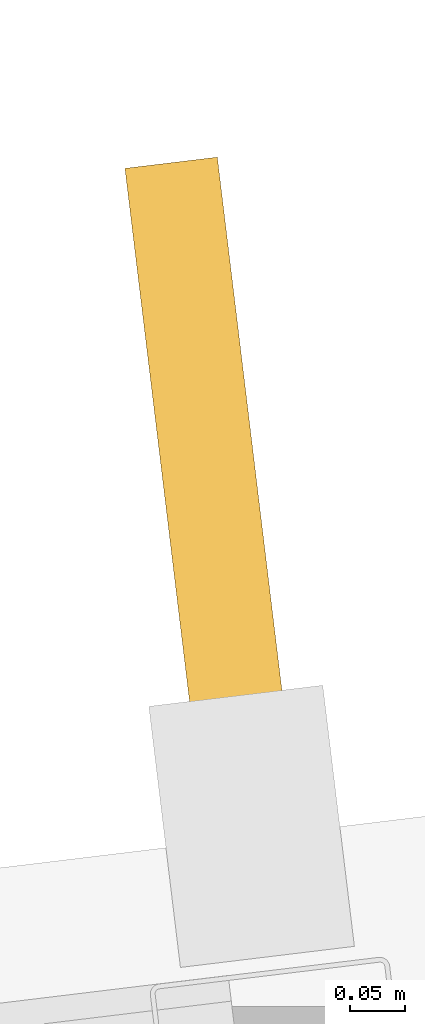
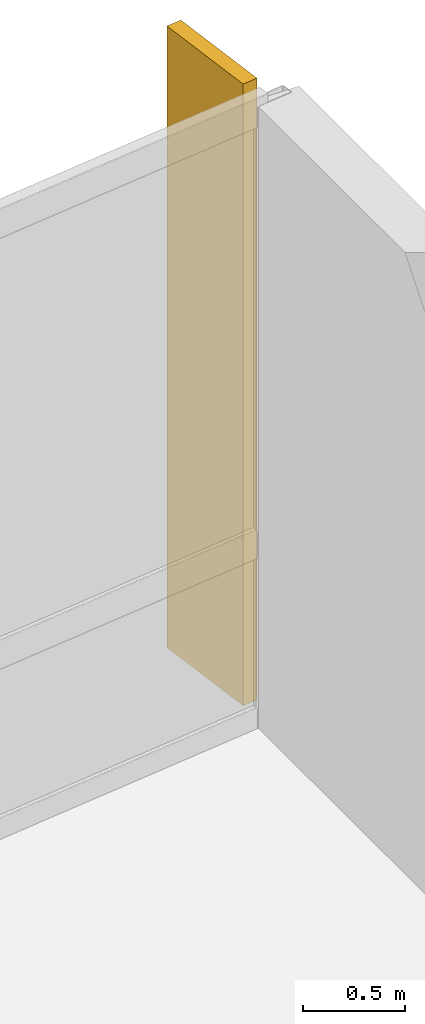
# One storey, part 18 of 18: 1 shading device.
"""IFC4 building model written with IfcOpenShell, lengths in metres."""

from ifc_helpers import new_model, si_unit, direction, frame, origin, origin_2d, place, context, subcontext, project, spatial, rectangle, extrude, material, layer, layer_set, type_object, element, save


model = new_model("IFC4")

# Units and contexts
model_context = context("Model", 3, precision=1e-05, world=origin(), true_north=direction((0.0, 1.0)))
body_context = subcontext(model_context, "Body", "Model", "MODEL_VIEW")
ifc_project = project(units=[si_unit("LENGTHUNIT", "METRE"), si_unit("AREAUNIT", "SQUARE_METRE"), si_unit("VOLUMEUNIT", "CUBIC_METRE"), si_unit("PLANEANGLEUNIT", "RADIAN"), si_unit("MASSUNIT", "GRAM", prefix="KILO")], contexts=[model_context])

# Site, building, storey
site_placement = place(None, origin())
site = spatial("IfcSite", under=ifc_project, at=site_placement, CompositionType="ELEMENT")
building_placement = place(site_placement, origin())
building = spatial("IfcBuilding", under=site, at=building_placement, Name="Varnakote Quay Hospital", CompositionType="ELEMENT")
storey_placement = place(building_placement, frame((0.0, 0.0, 123.10009765625)))
storey = spatial("IfcBuildingStorey", under=building, at=storey_placement, Name="L30", CompositionType="ELEMENT", Elevation=123.10009765625)

# Shading device
ifc_material = material(Name="Anodised aluminium 6063-T6 Bronze", Category="aluminium")
ifc_layer = layer(ifc_material, 0.0849609375)
ifc_layer_set = layer_set([ifc_layer], Name="Anodised aluminium 6063-T6 Bronze")
shading_device_type = type_object("IfcShadingDeviceType", Name="SHD-BRONZE-FIN-620", PredefinedType="USERDEFINED", material=ifc_layer_set)
shading_device_placement = place(storey_placement, frame((53.9462890625, 33.381591796875, 0.0), z_axis=(0.0, 0.0, 1.0), x_axis=(0.120310105847, -0.992736358975, 0.0)))
element("IfcShadingDevice", 1, at=shading_device_placement, inside=storey, type_object=shading_device_type, Name="L30 Anodised Bronze Vertical Shading FIN", ObjectType="FIN", PredefinedType="USERDEFINED", context=body_context, shape_type="SweptSolid", body=[
    extrude(rectangle(XDim=0.6201171875, YDim=0.0849609375, at=origin_2d()), origin(), (0.0, 0.0, 1.0), 3.7099609375),
])

save(model, "model.ifc")
